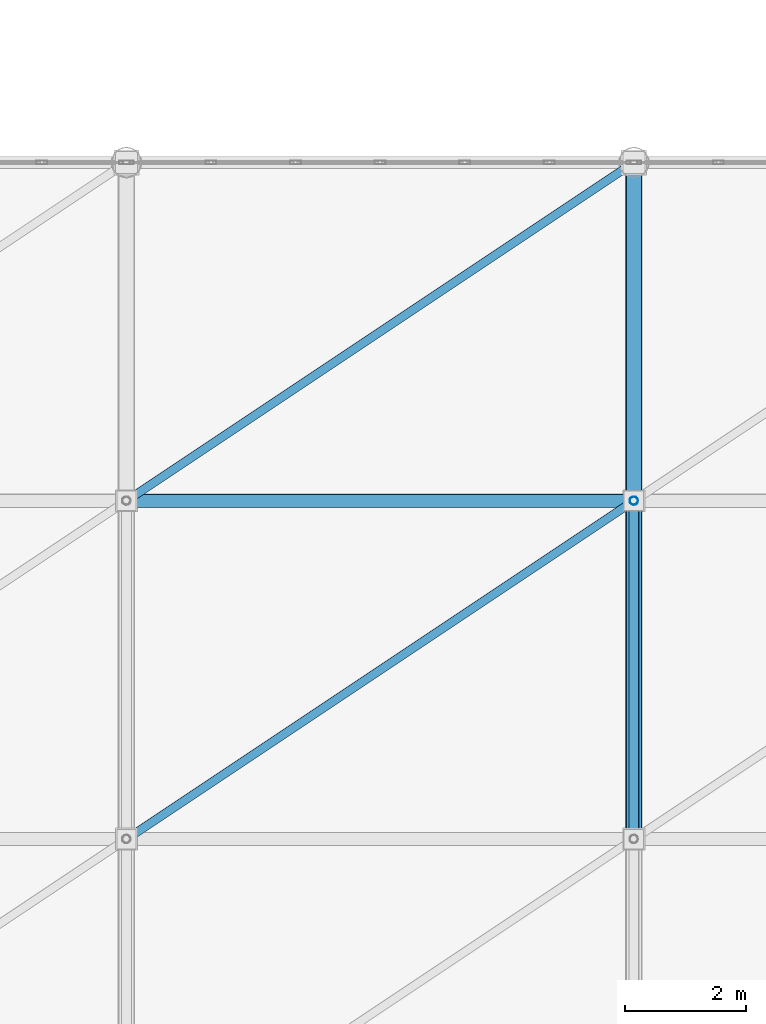
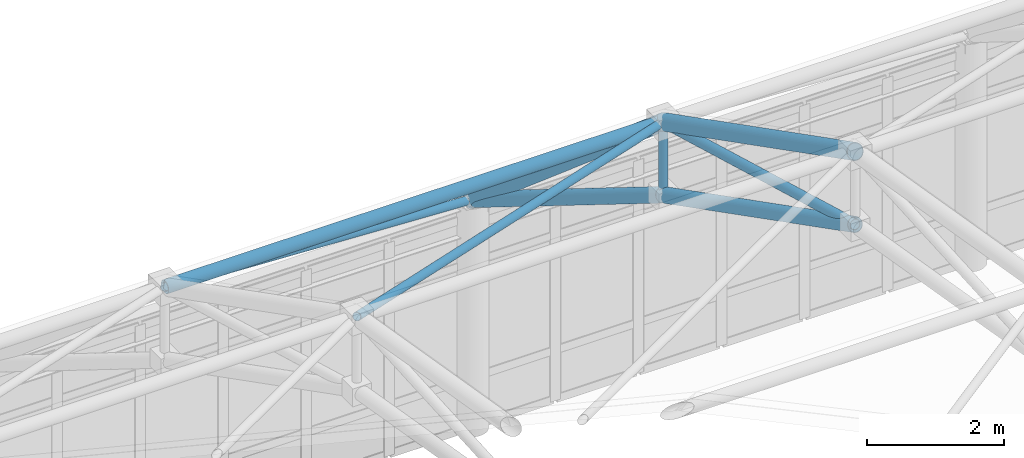
# One storey, part 79 of 184: 9 members.
"""IFC4 building model written with IfcOpenShell, lengths in metres."""

import ifcopenshell
import ifcopenshell.guid

model = None  # the IFC model being written
_history = None  # IfcOwnerHistory: only IFC2X3 demands one
_inside = {}  # id of a spatial element -> (the spatial element, [elements in it])
_under = {}  # id of a project, library or spatial element -> (it, [spatial elements below it])
_declared = {}  # id of a project -> (the project, [libraries it declares])
_typed = {}  # id of a type object -> (the type object, [elements of that type])
_made_of = {}  # id of a material, layer set ... -> (it, [elements and type objects made of it])


def new_model(schema):
    """Start an empty IFC model of exactly this schema.

    Asked for "IFC4X3", IfcOpenShell would pick the latest addendum, in which some entities
    have other attributes; the version numbers below select the first issue.
    IFC2X3 requires an IfcOwnerHistory on every rooted entity: one is made here for all.
    """
    global model, _history
    if schema == "IFC4X3":
        model = ifcopenshell.file(schema_version=(4, 3, 0, 0))
    else:
        model = ifcopenshell.file(schema=schema)
    _inside.clear()
    _under.clear()
    _declared.clear()
    _typed.clear()
    _made_of.clear()
    _history = None
    if model.schema == "IFC2X3":
        org = make("IfcOrganization", Name="unknown")
        user = make(
            "IfcPersonAndOrganization",
            ThePerson=make("IfcPerson", FamilyName="unknown"),
            TheOrganization=org,
        )
        app = make(
            "IfcApplication",
            ApplicationDeveloper=org,
            Version="unknown",
            ApplicationFullName="unknown",
            ApplicationIdentifier="unknown",
        )
        _history = make(
            "IfcOwnerHistory",
            OwningUser=user,
            OwningApplication=app,
            ChangeAction="ADDED",
            CreationDate=0,
        )
    return model


def make(cls, **values):
    """One entity of the class cls with the attributes given. An attribute that is None is left unset."""
    return model.create_entity(
        cls, **{name: value for name, value in values.items() if value is not None}
    )


def rooted(cls, **values):
    """An entity with a GlobalId (a new one), such as an element, a storey or a relation."""
    return make(cls, GlobalId=ifcopenshell.guid.new(), OwnerHistory=_history, **values)


def si_unit(unit_type, name, prefix=None):
    """IfcSIUnit, for example si_unit("LENGTHUNIT", "METRE", prefix="MILLI")."""
    return make("IfcSIUnit", UnitType=unit_type, Prefix=prefix, Name=name)


def assignment(units):
    """IfcUnitAssignment: the units of a project."""
    return None if units is None else make("IfcUnitAssignment", Units=units)


def point(xyz):
    """IfcCartesianPoint."""
    return None if xyz is None else make("IfcCartesianPoint", Coordinates=xyz)


def direction(xyz):
    """IfcDirection."""
    return None if xyz is None else make("IfcDirection", DirectionRatios=xyz)


def frame(location, z_axis=None, x_axis=None):
    """IfcAxis2Placement3D, a coordinate frame: its origin and axes. An axis left out is left unset."""
    return make(
        "IfcAxis2Placement3D",
        Location=point(location),
        Axis=direction(z_axis),
        RefDirection=direction(x_axis),
    )


def frame_2d(location, x_axis=None):
    """IfcAxis2Placement2D, a coordinate frame in the plane: its origin and x axis."""
    return make(
        "IfcAxis2Placement2D", Location=point(location), RefDirection=direction(x_axis)
    )


def origin():
    """The frame at (0, 0, 0) with its axes left unset."""
    return frame((0.0, 0.0, 0.0))


def origin_2d():
    """The frame at (0, 0) in the plane with its x axis left unset."""
    return frame_2d((0.0, 0.0))


def place(relative_to, where):
    """IfcLocalPlacement: puts the frame where relative to a parent placement (None: the world)."""
    return make(
        "IfcLocalPlacement", PlacementRelTo=relative_to, RelativePlacement=where
    )


def context(
    kind, dimensions, precision=None, world=None, true_north=None, identifier=None
):
    """IfcGeometricRepresentationContext, for example the 3D "Model" context."""
    return make(
        "IfcGeometricRepresentationContext",
        ContextIdentifier=identifier,
        ContextType=kind,
        CoordinateSpaceDimension=dimensions,
        Precision=precision,
        WorldCoordinateSystem=world,
        TrueNorth=true_north,
    )


def subcontext(parent, identifier, kind, view, scale=None):
    """IfcGeometricRepresentationSubContext, for example "Body" below "Model"."""
    return make(
        "IfcGeometricRepresentationSubContext",
        ContextIdentifier=identifier,
        ContextType=kind,
        ParentContext=parent,
        TargetScale=scale,
        TargetView=view,
    )


def project(units=None, contexts=None):
    """IfcProject with its units and contexts."""
    return rooted(
        "IfcProject",
        Name="project",
        RepresentationContexts=contexts,
        UnitsInContext=assignment(units),
    )


def spatial(cls, under=None, at=None, **own):
    """A site, building, storey or space (cls), placed at a placement, below another one or the project."""
    s = rooted(cls, ObjectPlacement=at, **own)
    if under is not None:
        _under.setdefault(under.id(), (under, []))[1].append(s)
    return s


def profile(cls, at=None, kind="AREA", **sizes):
    """A parametric profile (cls). Its sizes go by their IFC names, for example OverallWidth=200.0."""
    return make(cls, ProfileType=kind, Position=at, **sizes)


def hollow_circle(**sizes):
    """IfcCircleHollowProfileDef."""
    return profile("IfcCircleHollowProfileDef", **sizes)


def extrude(swept, where, along, depth):
    """IfcExtrudedAreaSolid: the profile swept, set in the frame where, extruded along a direction by depth."""
    return make(
        "IfcExtrudedAreaSolid",
        SweptArea=swept,
        Position=where,
        ExtrudedDirection=direction(along),
        Depth=depth,
    )


def shape(context_of_items, identifier, shape_type, items):
    """IfcShapeRepresentation: the items that make up one representation, for example the "Body"."""
    return make(
        "IfcShapeRepresentation",
        ContextOfItems=context_of_items,
        RepresentationIdentifier=identifier,
        RepresentationType=shape_type,
        Items=items,
    )


def material(Name=None, Category=None):
    """IfcMaterial."""
    return make("IfcMaterial", Name=Name, Category=Category)


def material_profile(
    of_material, cross_section, Name=None, Category=None, Priority=None
):
    """IfcMaterialProfile: a cross section and its material."""
    return make(
        "IfcMaterialProfile",
        Name=Name,
        Material=of_material,
        Profile=cross_section,
        Priority=Priority,
        Category=Category,
    )


def profile_set(profiles, Name=None, composite=None):
    """IfcMaterialProfileSet."""
    return make(
        "IfcMaterialProfileSet",
        Name=Name,
        MaterialProfiles=profiles,
        CompositeProfile=composite,
    )


def made_of(thing, what):
    """Note that an element or type object is made of a material, layer set ...; save() writes the relation."""
    if what is not None:
        _made_of.setdefault(what.id(), (what, []))[1].append(thing)
    return thing


def type_object(cls, material=None, **own):
    """A type object (cls), such as IfcWallType, which elements share."""
    return made_of(rooted(cls, **own), material)


def element(
    cls,
    number,
    at=None,
    inside=None,
    cuts=None,
    type_object=None,
    material=None,
    context=None,
    identifier="Body",
    shape_type=None,
    held_by="IfcProductDefinitionShape",
    body=None,
    shapes=None,
    **own,
):
    """One element of the class cls, such as IfcWall. Its Tag is "e" and its number.

    at: its placement. inside: the storey or other place that contains it. cuts: it is an
    opening in that element (IfcRelVoidsElement). A single representation is given by context,
    identifier, shape_type and body (its items); several are given by shapes. held_by: the class
    of the entity that holds the representations. save() writes the other relations.
    """
    e = rooted(cls, Tag="e%d" % number, ObjectPlacement=at, **own)
    if body is not None:
        shapes = [shape(context, identifier, shape_type, body)]
    if shapes is not None:
        e.Representation = make(held_by, Representations=shapes)
    if inside is not None:
        _inside.setdefault(inside.id(), (inside, []))[1].append(e)
    if cuts is not None:
        rooted(
            "IfcRelVoidsElement", RelatingBuildingElement=cuts, RelatedOpeningElement=e
        )
    if type_object is not None:
        _typed.setdefault(type_object.id(), (type_object, []))[1].append(e)
    return made_of(e, material)


def aggregate(whole, parts):
    """IfcRelAggregates: a whole, such as a stair, and the parts it consists of."""
    return rooted("IfcRelAggregates", RelatingObject=whole, RelatedObjects=parts)


def save(model, path):
    """Write the relations noted so far, then the file.

    IfcRelAggregates (storeys below a building ...), IfcRelContainedInSpatialStructure (elements
    in a storey), IfcRelDefinesByType, IfcRelAssociatesMaterial and IfcRelDeclares: one each for
    every whole, place, type object, material and project.
    """
    for whole, parts in _under.values():
        aggregate(whole, parts)
    for where, things in _inside.values():
        rooted(
            "IfcRelContainedInSpatialStructure",
            RelatedElements=things,
            RelatingStructure=where,
        )
    for kind, things in _typed.values():
        rooted("IfcRelDefinesByType", RelatedObjects=things, RelatingType=kind)
    for what, things in _made_of.values():
        rooted("IfcRelAssociatesMaterial", RelatedObjects=things, RelatingMaterial=what)
    for by, libraries in _declared.values():
        rooted("IfcRelDeclares", RelatingContext=by, RelatedDefinitions=libraries)
    model.write(path)


model = new_model("IFC4")

# Units and contexts
model_context = context("Model", 3, precision=1e-05, world=origin(), true_north=direction((0.0, 1.0)))
body_context = subcontext(model_context, "Body", "Model", "MODEL_VIEW")
ifc_project = project(units=[si_unit("LENGTHUNIT", "METRE"), si_unit("AREAUNIT", "SQUARE_METRE"), si_unit("VOLUMEUNIT", "CUBIC_METRE"), si_unit("PLANEANGLEUNIT", "RADIAN"), si_unit("MASSUNIT", "GRAM", prefix="KILO")], contexts=[model_context])

# Site, building, storey
site_placement = place(None, origin())
site = spatial("IfcSite", under=ifc_project, at=site_placement, CompositionType="ELEMENT")
building_placement = place(site_placement, origin())
building = spatial("IfcBuilding", under=site, at=building_placement, Name="Qalvenar Corner Mobility Hub", CompositionType="ELEMENT")
storey_placement = place(building_placement, frame((0.0, 0.0, 9.0)))
storey = spatial("IfcBuildingStorey", under=building, at=storey_placement, Name="L02", CompositionType="ELEMENT", Elevation=9.0)

# Members
ifc_material = material(Name="Steel S355", Category="steel")
ifc_material_profile_1 = material_profile(ifc_material, hollow_circle(Radius=0.109619140625, WallThickness=0.008056640625, at=origin_2d()), Name="CHS219.1x8")
ifc_profile_set_1 = profile_set([ifc_material_profile_1], Name="Steel S355")
member_type_1 = type_object("IfcMemberType", Name="SF-CHD219", PredefinedType="CHORD", material=ifc_profile_set_1)
member_1_placement = place(storey_placement, frame((84.0, 28.0, 8.837890625), z_axis=(1.0, 0.0, 0.0), x_axis=(0.0, 1.0, 0.0)))
element("IfcMember", 1, at=member_1_placement, inside=storey, type_object=member_type_1, Name="Space Frame Longitudinal Chord SFL-0217", PredefinedType="CHORD", context=body_context, shape_type="SweptSolid", body=[
    extrude(hollow_circle(Radius=0.109619140625, WallThickness=0.008056640625, at=origin_2d()), origin(), (0.0, 0.0, 1.0), 8.39990234375),
])
ifc_material_profile_2 = material_profile(ifc_material, hollow_circle(Radius=0.122314453125, WallThickness=0.0087890625, at=origin_2d()), Name="CHS244.5x8.8")
ifc_profile_set_2 = profile_set([ifc_material_profile_2], Name="Steel S355")
member_type_2 = type_object("IfcMemberType", Name="SF-CHD244", PredefinedType="CHORD", material=ifc_profile_set_2)
member_2_placement = place(storey_placement, frame((92.39990234375, 22.39990234375, 10.404296875), z_axis=(0.0, 0.890165077293, -0.455638162547), x_axis=(-1.0, 0.0, 0.0)))
element("IfcMember", 2, at=member_2_placement, inside=storey, type_object=member_type_2, Name="Space Frame Bottom Chord SFBC-0118", PredefinedType="CHORD", context=body_context, shape_type="SweptSolid", body=[
    extrude(hollow_circle(Radius=0.122314453125, WallThickness=0.0087890625, at=origin_2d()), origin(), (0.0, 0.0, 1.0), 6.291015625),
])
member_3_placement = place(storey_placement, frame((92.39990234375, 28.0, 7.537841796875), z_axis=(0.0, 0.849513681623, -0.527566587964), x_axis=(-1.0, 0.0, 0.0)))
element("IfcMember", 3, at=member_3_placement, inside=storey, type_object=member_type_2, Name="Space Frame Bottom Chord SFBC-0121", PredefinedType="CHORD", context=body_context, shape_type="SweptSolid", body=[
    extrude(hollow_circle(Radius=0.122314453125, WallThickness=0.0087890625, at=origin_2d()), origin(), (0.0, 0.0, 1.0), 6.592041015625),
])
ifc_material_profile_3 = material_profile(ifc_material, hollow_circle(Radius=0.136474609375, WallThickness=0.010009765625, at=origin_2d()), Name="CHS273x10")
ifc_profile_set_3 = profile_set([ifc_material_profile_3], Name="Steel S355")
member_type_3 = type_object("IfcMemberType", Name="SF-CHD273", PredefinedType="CHORD", material=ifc_profile_set_3)
member_4_placement = place(storey_placement, frame((92.39990234375, 22.39990234375, 11.704345703125), z_axis=(0.0, 0.890165077293, -0.455638162547), x_axis=(-1.0, 0.0, 0.0)))
element("IfcMember", 4, at=member_4_placement, inside=storey, type_object=member_type_3, Name="Space Frame Top Chord SFTC-0117", PredefinedType="CHORD", context=body_context, shape_type="SweptSolid", body=[
    extrude(hollow_circle(Radius=0.136474609375, WallThickness=0.010009765625, at=origin_2d()), origin(), (0.0, 0.0, 1.0), 6.291015625),
])
member_5_placement = place(storey_placement, frame((92.39990234375, 28.0, 8.837890625), z_axis=(0.0, 0.760748216799, -0.64904710972), x_axis=(-1.0, 0.0, 0.0)))
element("IfcMember", 5, at=member_5_placement, inside=storey, type_object=member_type_3, Name="Space Frame Top Chord SFTC-0120", PredefinedType="CHORD", context=body_context, shape_type="SweptSolid", body=[
    extrude(hollow_circle(Radius=0.136474609375, WallThickness=0.010009765625, at=origin_2d()), origin(), (0.0, 0.0, 1.0), 7.361328125),
])
ifc_material_profile_4 = material_profile(ifc_material, hollow_circle(Radius=0.06982421875, WallThickness=0.0048828125, at=origin_2d()), Name="CHS139.7x5")
ifc_profile_set_4 = profile_set([ifc_material_profile_4], Name="Steel S355")
member_type_4 = type_object("IfcMemberType", Name="SF-STR139", PredefinedType="STRUT", material=ifc_profile_set_4)
member_6_placement = place(storey_placement, frame((92.39990234375, 28.0, 7.537841796875), z_axis=(0.0, 0.0, 1.0), x_axis=(1.0, 0.0, 0.0)))
element("IfcMember", 6, at=member_6_placement, inside=storey, type_object=member_type_4, Name="Space Frame King Strut SFV-0126", PredefinedType="STRUT", context=body_context, shape_type="SweptSolid", body=[
    extrude(hollow_circle(Radius=0.06982421875, WallThickness=0.0048828125, at=origin_2d()), origin(), (0.0, 0.0, 1.0), 1.300048828125),
])
member_7_placement = place(storey_placement, frame((84.0, 22.39990234375, 11.704345703125), z_axis=(0.800404556172, 0.533618546459, -0.273136949777), x_axis=(-0.554711357594, 0.832042853317, 0.0)))
element("IfcMember", 7, at=member_7_placement, inside=storey, type_object=member_type_4, Name="Space Frame Plan Strut SFP-0222", PredefinedType="STRUT", context=body_context, shape_type="SweptSolid", body=[
    extrude(hollow_circle(Radius=0.06982421875, WallThickness=0.0048828125, at=origin_2d()), origin(), (0.0, 0.0, 1.0), 10.49462890625),
])
member_8_placement = place(storey_placement, frame((84.0, 28.0, 8.837890625), z_axis=(0.752071189663, 0.50139536559, -0.427775189842), x_axis=(-0.554711357594, 0.832042853317, 0.0)))
element("IfcMember", 8, at=member_8_placement, inside=storey, type_object=member_type_4, Name="Space Frame Plan Strut SFP-0223", PredefinedType="STRUT", context=body_context, shape_type="SweptSolid", body=[
    extrude(hollow_circle(Radius=0.06982421875, WallThickness=0.0048828125, at=origin_2d()), origin(), (0.0, 0.0, 1.0), 11.1689453125),
])
ifc_material_profile_5 = material_profile(ifc_material, hollow_circle(Radius=0.084228515625, WallThickness=0.00634765625, at=origin_2d()), Name="CHS168.3x6.3")
ifc_profile_set_5 = profile_set([ifc_material_profile_5], Name="Steel S355")
member_type_5 = type_object("IfcMemberType", Name="SF-STR168", PredefinedType="STRUT", material=ifc_profile_set_5)
member_9_placement = place(storey_placement, frame((92.39990234375, 22.39990234375, 10.404296875), z_axis=(0.0, 0.963036367481, -0.269371407), x_axis=(-1.0, 0.0, 0.0)))
element("IfcMember", 9, at=member_9_placement, inside=storey, type_object=member_type_5, Name="Space Frame Web Strut SFD-0119", PredefinedType="STRUT", context=body_context, shape_type="SweptSolid", body=[
    extrude(hollow_circle(Radius=0.084228515625, WallThickness=0.00634765625, at=origin_2d()), origin(), (0.0, 0.0, 1.0), 5.81494140625),
])

save(model, "model.ifc")
